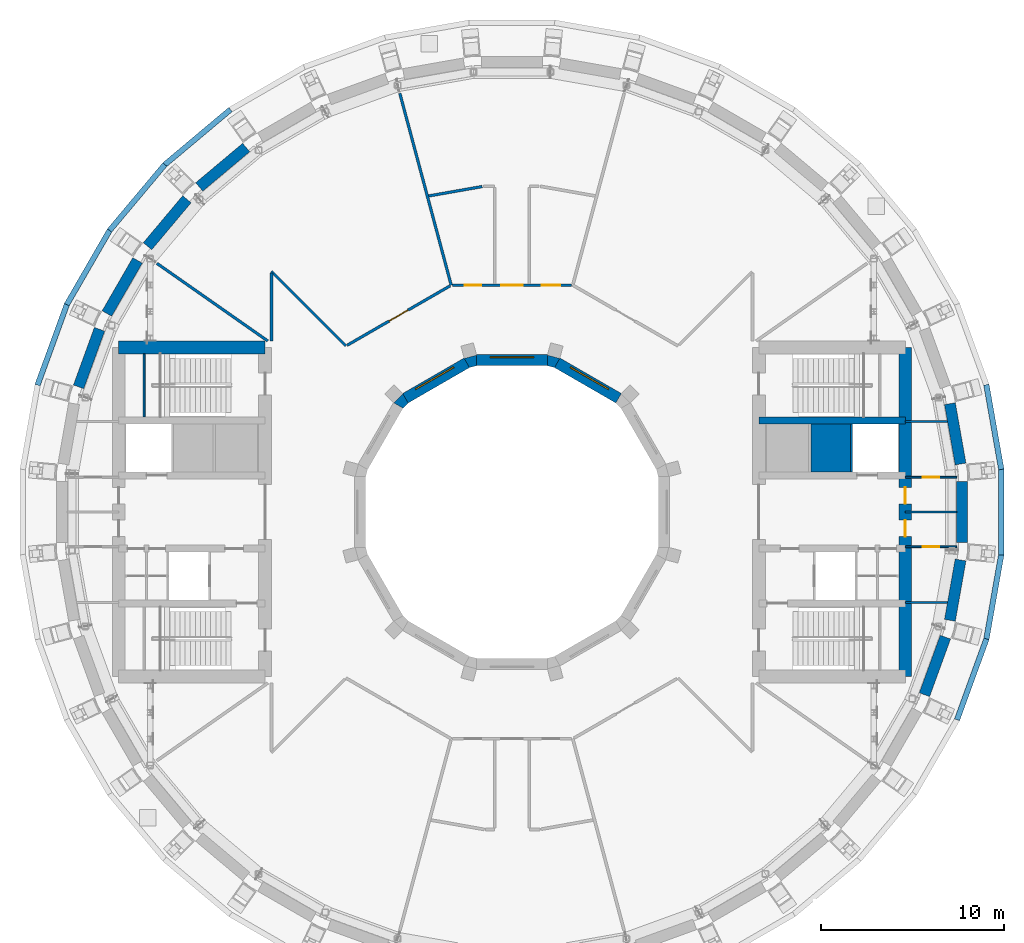
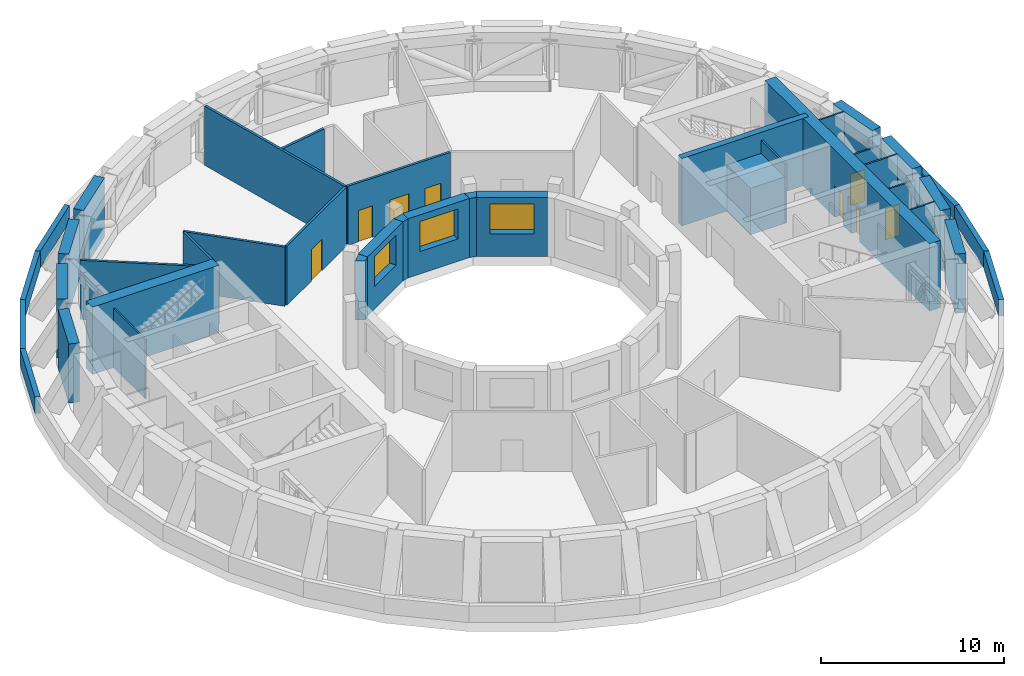
# One storey, part 13 of 20: 40 walls, 8 doors, 3 windows, 11 openings.
"""IFC4 building model written with IfcOpenShell, lengths in metres."""

from ifc_helpers import new_model, si_unit, direction, frame, frame_2d, origin, place, context, subcontext, project, spatial, polyline, rectangle, outline, extrude, material, layer, layer_set, type_object, element, fill, save


model = new_model("IFC4")

# Units and contexts
model_context = context("Model", 3, precision=1e-05, world=origin(), true_north=direction((0.0, 1.0)))
body_context = subcontext(model_context, "Body", "Model", "MODEL_VIEW")
ifc_project = project(units=[si_unit("LENGTHUNIT", "METRE"), si_unit("AREAUNIT", "SQUARE_METRE"), si_unit("VOLUMEUNIT", "CUBIC_METRE"), si_unit("PLANEANGLEUNIT", "RADIAN"), si_unit("MASSUNIT", "GRAM", prefix="KILO")], contexts=[model_context])

# Site, building, storey
site_placement = place(None, origin())
site = spatial("IfcSite", under=ifc_project, at=site_placement, CompositionType="ELEMENT")
building_placement = place(site_placement, origin())
building = spatial("IfcBuilding", under=site, at=building_placement, Name="Saqina Gate Tower", CompositionType="ELEMENT")
storey_placement = place(building_placement, frame((0.0, 0.0, 151.300048828125)))
storey = spatial("IfcBuildingStorey", under=building, at=storey_placement, Name="L43", CompositionType="ELEMENT", Elevation=151.300048828125)

# Wall
ifc_material_1 = material(Name="Gypsum board on steel studs", Category="steel")
ifc_layer_1 = layer(ifc_material_1, 0.10009765625)
ifc_layer_set_1 = layer_set([ifc_layer_1], Name="CORE PARTITION")
wall_type_1 = type_object("IfcWallType", Name="CORE PARTITION", PredefinedType="PARTITIONING", material=ifc_layer_set_1)
wall_1_placement = place(storey_placement, frame((21.5, 4.949951171875, 0.0), z_axis=(0.0, 0.0, 1.0), x_axis=(1.0, 0.0, 0.0)))
element("IfcWall", 1, at=wall_1_placement, inside=storey, type_object=wall_type_1, Name="L43-CP-E01", PredefinedType="PARTITIONING", context=body_context, shape_type="SweptSolid", body=[
    extrude(rectangle(XDim=2.306884765625, YDim=0.10009765625, at=frame_2d((1.1533203125, 0.0))), origin(), (0.0, 0.0, 1.0), 3.949951171875),
])

# Wall, opening, door
wall_2_placement = place(storey_placement, frame((21.5, 1.89990234375, 0.0), z_axis=(0.0, 0.0, 1.0), x_axis=(1.0, 0.0, 0.0)))
wall_2 = element("IfcWall", 2, at=wall_2_placement, inside=storey, type_object=wall_type_1, Name="L43-CP-E02", PredefinedType="PARTITIONING", context=body_context, shape_type="SweptSolid", body=[
    extrude(rectangle(XDim=2.804931640625, YDim=0.10009765625, at=frame_2d((1.40234375, 0.0))), origin(), (0.0, 0.0, 1.0), 3.35595703125),
])
opening_1_placement = place(wall_2_placement, frame((0.952392578125, 0.0, 0.0)))
opening_1 = element("IfcOpeningElement", 3, at=opening_1_placement, cuts=wall_2, Name="Opening L43-D93", PredefinedType="OPENING", context=body_context, shape_type="SweptSolid", body=[
    extrude(rectangle(XDim=0.89990234375, YDim=2.10009765625, at=frame_2d((0.449951171875, 1.050048828125))), frame((0.0, 0.06201171875, 0.0), z_axis=(0.0, -1.0, 0.0), x_axis=(1.0, 0.0, 0.0)), (0.0, 0.0, 1.0), 0.1240234375),
])
ifc_material_2 = material(Name="Steel-framed fire door leaf, EI 60", Category="steel")
door_type_1 = type_object("IfcDoorType", Name="SERVICE ROOM DOOR 900", OperationType="SINGLE_SWING_LEFT", PredefinedType="DOOR", material=ifc_material_2)
door_1_placement = place(opening_1_placement, origin())
door_1 = element("IfcDoor", 4, at=door_1_placement, inside=storey, type_object=door_type_1, Name="L43-CD-E04", OperationType="SINGLE_SWING_LEFT", OverallHeight=2.10009765625, OverallWidth=0.89990234375, PredefinedType="DOOR", context=body_context, shape_type="SweptSolid", body=[
    extrude(rectangle(XDim=0.89990234375, YDim=2.10009765625, at=frame_2d((0.449951171875, 1.050048828125))), frame((0.0, 0.02490234375, 0.0), z_axis=(0.0, -1.0, 0.0), x_axis=(1.0, 0.0, 0.0)), (0.0, 0.0, 1.0), 0.050048828125),
])
fill(opening_1, door_1)

# Wall
wall_3_placement = place(storey_placement, frame((21.5, -4.949951171875, 0.0), z_axis=(0.0, 0.0, 1.0), x_axis=(1.0, 0.0, 0.0)))
element("IfcWall", 5, at=wall_3_placement, inside=storey, type_object=wall_type_1, Name="L43-CP-E03", PredefinedType="PARTITIONING", context=body_context, shape_type="SweptSolid", body=[
    extrude(rectangle(XDim=2.306884765625, YDim=0.10009765625, at=frame_2d((1.1533203125, 0.0))), origin(), (0.0, 0.0, 1.0), 3.949951171875),
])

# Wall, opening, door
wall_4_placement = place(storey_placement, frame((21.5, -1.89990234375, 0.0), z_axis=(0.0, 0.0, 1.0), x_axis=(1.0, 0.0, 0.0)))
wall_4 = element("IfcWall", 6, at=wall_4_placement, inside=storey, type_object=wall_type_1, Name="L43-CP-E04", PredefinedType="PARTITIONING", context=body_context, shape_type="SweptSolid", body=[
    extrude(rectangle(XDim=2.804931640625, YDim=0.10009765625, at=frame_2d((1.40234375, 0.0))), origin(), (0.0, 0.0, 1.0), 3.35595703125),
])
opening_2_placement = place(wall_4_placement, frame((0.952392578125, 0.0, 0.0)))
opening_2 = element("IfcOpeningElement", 7, at=opening_2_placement, cuts=wall_4, Name="Opening L43-D95", PredefinedType="OPENING", context=body_context, shape_type="SweptSolid", body=[
    extrude(rectangle(XDim=0.89990234375, YDim=2.10009765625, at=frame_2d((0.449951171875, 1.050048828125))), frame((0.0, 0.06201171875, 0.0), z_axis=(0.0, -1.0, 0.0), x_axis=(1.0, 0.0, 0.0)), (0.0, 0.0, 1.0), 0.1240234375),
])
door_2_placement = place(opening_2_placement, frame((0.89990234375, 0.0, 0.0), z_axis=(0.0, 0.0, 1.0), x_axis=(-1.0, 0.0, 0.0)))
door_2 = element("IfcDoor", 8, at=door_2_placement, inside=storey, type_object=door_type_1, Name="L43-CD-E06", OperationType="SINGLE_SWING_RIGHT", OverallHeight=2.10009765625, OverallWidth=0.89990234375, PredefinedType="DOOR", context=body_context, shape_type="SweptSolid", body=[
    extrude(rectangle(XDim=0.89990234375, YDim=2.10009765625, at=frame_2d((0.449951171875, 1.050048828125))), frame((0.0, 0.02490234375, 0.0), z_axis=(0.0, -1.0, 0.0), x_axis=(1.0, 0.0, 0.0)), (0.0, 0.0, 1.0), 0.050048828125),
])
fill(opening_2, door_2)

# Walls
wall_5_placement = place(storey_placement, frame((21.5, 0.0, 0.0), z_axis=(0.0, 0.0, 1.0), x_axis=(1.0, 0.0, 0.0)))
element("IfcWall", 9, at=wall_5_placement, inside=storey, type_object=wall_type_1, Name="L43-CP-E05", PredefinedType="PARTITIONING", context=body_context, shape_type="SweptSolid", body=[
    extrude(rectangle(XDim=2.804931640625, YDim=0.10009765625, at=frame_2d((1.40234375, 0.0))), origin(), (0.0, 0.0, 1.0), 3.949951171875),
])
ifc_material_3 = material(Name="Brick masonry (buff)", Category="masonry")
ifc_layer_2 = layer(ifc_material_3, 0.60009765625)
ifc_layer_set_2 = layer_set([ifc_layer_2], Name="FW-BRICK-BUFF")
wall_type_2 = type_object("IfcWallType", Name="FW-BRICK-BUFF", PredefinedType="SOLIDWALL", material=ifc_layer_set_2)
for number, where, z_axis, x_axis, name in (
    (10, (-14.53271484375, 19.9248046875, 0.0), (0.0, 0.0, 1.0), (-0.766078076858, -0.642747524428, 0.0), "Facade wall L43 facet 13"),
    (11, (-17.77197265625, 17.0986328125, 0.0), (0.0, 0.0, 1.0), (-0.642747524428, -0.766078076858, 0.0), "Facade wall L43 facet 14"),
    (12, (-20.47119140625, 13.752685546875, 0.0), (0.0, 0.0, 1.0), (-0.499972744263, -0.866041139319, 0.0), "Facade wall L43 facet 15"),
):
    element("IfcWall", number, at=place(storey_placement, frame(where, z_axis=z_axis, x_axis=x_axis)), inside=storey, type_object=wall_type_2, Name=name, PredefinedType="SOLIDWALL", context=body_context, shape_type="SweptSolid", body=[
        extrude(rectangle(XDim=3.349365234375, YDim=0.60009765625, at=frame_2d((1.6748046875, 0.0))), origin(), (0.0, 0.0, 1.0), 3.949951171875),
    ])
ifc_material_4 = material(Name="Glazed ceramic tile", Category="ceramic")
ifc_layer_3 = layer(ifc_material_4, 0.60009765625)
ifc_layer_set_3 = layer_set([ifc_layer_3], Name="FW-TILE")
wall_type_3 = type_object("IfcWallType", Name="FW-TILE", PredefinedType="SOLIDWALL", material=ifc_layer_set_3)
for number, where, z_axis, x_axis, name in (
    (13, (-22.54833984375, 9.989013671875, 0.0), (0.0, 0.0, 1.0), (-0.342000559967, -0.939699748315, 0.0), "Facade wall L43 facet 16"),
    (14, (22.54833984375, -9.989013671875, 0.0), (0.0, 0.0, 1.0), (0.342000559967, 0.939699748315, 0.0), "Facade wall L43 facet 34"),
):
    element("IfcWall", number, at=place(storey_placement, frame(where, z_axis=z_axis, x_axis=x_axis)), inside=storey, type_object=wall_type_3, Name=name, PredefinedType="SOLIDWALL", context=body_context, shape_type="SweptSolid", body=[
        extrude(rectangle(XDim=3.349365234375, YDim=0.60009765625, at=frame_2d((1.6748046875, 0.0))), origin(), (0.0, 0.0, 1.0), 3.949951171875),
    ])
wall_6_placement = place(storey_placement, frame((24.60498046875, -1.674560546875, 0.0), z_axis=(0.0, 0.0, 1.0), x_axis=(0.0, 1.0, 0.0)))
element("IfcWall", 15, at=wall_6_placement, inside=storey, type_object=wall_type_3, Name="Facade wall L43 facet 36", PredefinedType="SOLIDWALL", context=body_context, shape_type="SweptSolid", body=[
    extrude(rectangle(XDim=3.34912109375, YDim=0.60009765625, at=frame_2d((1.674560546875, 0.0))), origin(), (0.0, 0.0, 1.0), 3.949951171875),
])
ifc_material_5 = material(Name="Glazed ceramic tile (dark blue)", Category="ceramic")
ifc_layer_4 = layer(ifc_material_5, 0.60009765625)
ifc_layer_set_4 = layer_set([ifc_layer_4], Name="FW-TILE-CB")
wall_type_4 = type_object("IfcWallType", Name="FW-TILE-CB", PredefinedType="SOLIDWALL", material=ifc_layer_set_4)
wall_7_placement = place(storey_placement, frame((23.940185546875, -5.921875, 0.0), z_axis=(0.0, 0.0, 1.0), x_axis=(0.173693855351, 0.984799697712, 0.0)))
element("IfcWall", 16, at=wall_7_placement, inside=storey, type_object=wall_type_4, Name="Facade wall L43 facet 35", PredefinedType="SOLIDWALL", context=body_context, shape_type="SweptSolid", body=[
    extrude(rectangle(XDim=3.349609375, YDim=0.60009765625, at=frame_2d((1.6748046875, 0.0))), origin(), (0.0, 0.0, 1.0), 3.949951171875),
])
ifc_material_6 = material(Name="Glazed ceramic tile (white)", Category="ceramic")
ifc_layer_5 = layer(ifc_material_6, 0.60009765625)
ifc_layer_set_5 = layer_set([ifc_layer_5], Name="FW-TILE-WH")
wall_type_5 = type_object("IfcWallType", Name="FW-TILE-WH", PredefinedType="SOLIDWALL", material=ifc_layer_set_5)
wall_8_placement = place(storey_placement, frame((24.52197265625, 2.623291015625, 0.0), z_axis=(0.0, 0.0, 1.0), x_axis=(-0.173693855351, 0.984799697712, 0.0)))
element("IfcWall", 17, at=wall_8_placement, inside=storey, type_object=wall_type_5, Name="Facade wall L43 facet 1", PredefinedType="SOLIDWALL", context=body_context, shape_type="SweptSolid", body=[
    extrude(rectangle(XDim=3.349609375, YDim=0.60009765625, at=frame_2d((1.6748046875, 0.0))), origin(), (0.0, 0.0, 1.0), 3.949951171875),
])

# Wall, opening, window
ifc_material_7 = material(Name="Glazed ceramic tile", Category="ceramic")
ifc_layer_6 = layer(ifc_material_7, 0.60009765625)
ifc_layer_set_6 = layer_set([ifc_layer_6], Name="IW-TILE")
wall_type_6 = type_object("IfcWallType", Name="IW-TILE", PredefinedType="SOLIDWALL", material=ifc_layer_set_6)
wall_9_placement = place(storey_placement, frame((5.82568359375, 6.220458984375, 0.0), z_axis=(0.0, 0.0, 1.0), x_axis=(-0.866005929495, 0.500033728941, 0.0)))
wall_9 = element("IfcWall", 18, at=wall_9_placement, inside=storey, type_object=wall_type_6, Name="Well wall L43 facet 2", PredefinedType="SOLIDWALL", context=body_context, shape_type="SweptSolid", body=[
    extrude(rectangle(XDim=3.869873046875, YDim=0.60009765625, at=frame_2d((1.93505859375, 0.0))), origin(), (0.0, 0.0, 1.0), 3.949951171875),
])
opening_3_placement = place(wall_9_placement, frame((0.73486328125, 0.0, 1.5)))
opening_3 = element("IfcOpeningElement", 19, at=opening_3_placement, cuts=wall_9, Name="Opening L43-W02", PredefinedType="OPENING", context=body_context, shape_type="SweptSolid", body=[
    extrude(rectangle(XDim=2.39990234375, YDim=2.0, at=frame_2d((1.199951171875, 1.0))), frame((0.0, 0.31201171875, 0.0), z_axis=(0.0, -1.0, 0.0), x_axis=(1.0, 0.0, 0.0)), (0.0, 0.0, 1.0), 0.6240234375),
])
ifc_material_8 = material(Name="Aluminium glazing", Category="aluminium")
window_type = type_object("IfcWindowType", Name="WN-P", PartitioningType="SINGLE_PANEL", PredefinedType="WINDOW", material=ifc_material_8)
window_1_placement = place(opening_3_placement, origin())
window_1 = element("IfcWindow", 20, at=window_1_placement, inside=storey, type_object=window_type, Name="Well window L43 facet 2", OverallHeight=2.0, OverallWidth=2.39990234375, PartitioningType="SINGLE_PANEL", PredefinedType="WINDOW", context=body_context, shape_type="SweptSolid", body=[
    extrude(rectangle(XDim=2.39990234375, YDim=2.0, at=frame_2d((1.199951171875, 1.0))), frame((0.0, -0.119873046875, 0.0), z_axis=(0.0, -1.0, 0.0), x_axis=(1.0, 0.0, 0.0)), (0.0, 0.0, 1.0), 0.06005859375),
])
fill(opening_3, window_1)

wall_10_placement = place(storey_placement, frame((1.934814453125, 8.300048828125, 0.0), z_axis=(0.0, 0.0, 1.0), x_axis=(-1.0, 0.0, 0.0)))
wall_10 = element("IfcWall", 21, at=wall_10_placement, inside=storey, type_object=wall_type_6, Name="Well wall L43 facet 3", PredefinedType="SOLIDWALL", context=body_context, shape_type="SweptSolid", body=[
    extrude(rectangle(XDim=3.86962890625, YDim=0.60009765625, at=frame_2d((1.934814453125, 0.0))), origin(), (0.0, 0.0, 1.0), 3.949951171875),
])
opening_4_placement = place(wall_10_placement, frame((0.73486328125, 0.0, 1.5)))
opening_4 = element("IfcOpeningElement", 22, at=opening_4_placement, cuts=wall_10, Name="Opening L43-W03", PredefinedType="OPENING", context=body_context, shape_type="SweptSolid", body=[
    extrude(rectangle(XDim=2.39990234375, YDim=2.0, at=frame_2d((1.199951171875, 1.0))), frame((0.0, 0.31201171875, 0.0), z_axis=(0.0, -1.0, 0.0), x_axis=(1.0, 0.0, 0.0)), (0.0, 0.0, 1.0), 0.6240234375),
])
window_2_placement = place(opening_4_placement, origin())
window_2 = element("IfcWindow", 23, at=window_2_placement, inside=storey, type_object=window_type, Name="Well window L43 facet 3", OverallHeight=2.0, OverallWidth=2.39990234375, PartitioningType="SINGLE_PANEL", PredefinedType="WINDOW", context=body_context, shape_type="SweptSolid", body=[
    extrude(rectangle(XDim=2.39990234375, YDim=2.0, at=frame_2d((1.199951171875, 1.0))), frame((0.0, -0.119873046875, 0.0), z_axis=(0.0, -1.0, 0.0), x_axis=(1.0, 0.0, 0.0)), (0.0, 0.0, 1.0), 0.06005859375),
])
fill(opening_4, window_2)

wall_11_placement = place(storey_placement, frame((-2.474365234375, 8.155517578125, 0.0), z_axis=(0.0, 0.0, 1.0), x_axis=(-0.866005929495, -0.500033728941, 0.0)))
wall_11 = element("IfcWall", 24, at=wall_11_placement, inside=storey, type_object=wall_type_6, Name="Well wall L43 facet 4", PredefinedType="SOLIDWALL", context=body_context, shape_type="SweptSolid", body=[
    extrude(rectangle(XDim=3.869873046875, YDim=0.60009765625, at=frame_2d((1.93505859375, 0.0))), origin(), (0.0, 0.0, 1.0), 3.949951171875),
])
opening_5_placement = place(wall_11_placement, frame((0.73486328125, 0.0, 1.5)))
opening_5 = element("IfcOpeningElement", 25, at=opening_5_placement, cuts=wall_11, Name="Opening L43-W04", PredefinedType="OPENING", context=body_context, shape_type="SweptSolid", body=[
    extrude(rectangle(XDim=2.39990234375, YDim=2.0, at=frame_2d((1.199951171875, 1.0))), frame((0.0, 0.31201171875, 0.0), z_axis=(0.0, -1.0, 0.0), x_axis=(1.0, 0.0, 0.0)), (0.0, 0.0, 1.0), 0.6240234375),
])
window_3_placement = place(opening_5_placement, origin())
window_3 = element("IfcWindow", 26, at=window_3_placement, inside=storey, type_object=window_type, Name="Well window L43 facet 4", OverallHeight=2.0, OverallWidth=2.39990234375, PartitioningType="SINGLE_PANEL", PredefinedType="WINDOW", context=body_context, shape_type="SweptSolid", body=[
    extrude(rectangle(XDim=2.39990234375, YDim=2.0, at=frame_2d((1.199951171875, 1.0))), frame((0.0, -0.119873046875, 0.0), z_axis=(0.0, -1.0, 0.0), x_axis=(1.0, 0.0, 0.0)), (0.0, 0.0, 1.0), 0.06005859375),
])
fill(opening_5, window_3)

# Walls
ifc_material_9 = material(Name="Concrete C40/50", Category="concrete")
ifc_layer_7 = layer(ifc_material_9, 2.60009765625)
ifc_layer_set_7 = layer_set([ifc_layer_7], Name="Concrete C40/50")
wall_type_7 = type_object("IfcWallType", Name="LIFT PIT PEDESTAL 2600", PredefinedType="SOLIDWALL", material=ifc_layer_set_7)
wall_12_placement = place(storey_placement, frame((16.340087890625, 3.5, 0.0), z_axis=(0.0, 0.0, 1.0), x_axis=(1.0, 0.0, 0.0)))
element("IfcWall", 27, at=wall_12_placement, inside=storey, type_object=wall_type_7, Name="LIFT PIT BASE HR2", PredefinedType="SOLIDWALL", context=body_context, shape_type="SweptSolid", body=[
    extrude(rectangle(XDim=2.159912109375, YDim=2.60009765625, at=frame_2d((1.080078125, 0.0))), origin(), (0.0, 0.0, 1.0), 3.099853515625),
])
ifc_material_10 = material(Name="Brick masonry (buff)", Category="masonry")
ifc_layer_8 = layer(ifc_material_10, 0.300048828125)
ifc_layer_set_8 = layer_set([ifc_layer_8], Name="PA-ROOF")
wall_type_8 = type_object("IfcWallType", Name="PA-ROOF", PredefinedType="PARAPET", material=ifc_layer_set_8)
for number, where, z_axis, x_axis, name in (
    (28, (26.74951171875, 2.3271484375, 0.0), (0.0, 0.0, 1.0), (-0.173619615708, 0.984812788829, 0.0), "Parapet L43 edge 1"),
    (29, (-15.39013671875, 22.002197265625, 0.0), (0.0, 0.0, 1.0), (-0.766065473319, -0.642762546038, 0.0), "Parapet L43 edge 13"),
    (30, (-18.97705078125, 18.99560546875, 0.0), (0.0, 0.0, 1.0), (-0.642762546038, -0.766065473319, 0.0), "Parapet L43 edge 14"),
):
    element("IfcWall", number, at=place(storey_placement, frame(where, z_axis=z_axis, x_axis=x_axis)), inside=storey, type_object=wall_type_8, Name=name, PredefinedType="PARAPET", context=body_context, shape_type="SweptSolid", body=[
        extrude(rectangle(XDim=4.70654296875, YDim=0.300048828125, at=frame_2d((2.353271484375, 0.0))), origin(), (0.0, 0.0, 1.0), 1.099853515625),
    ])
for number, where, z_axis, x_axis, name in (
    (31, (-21.9873046875, 15.41162109375, 0.0), (0.0, 0.0, 1.0), (-0.499966433809, -0.866044782366, 0.0), "Parapet L43 edge 15"),
    (32, (-24.329345703125, 11.359375, 0.0), (0.0, 0.0, 1.0), (-0.342005449033, -0.939697968941, 0.0), "Parapet L43 edge 16"),
    (33, (24.329345703125, -11.359375, 0.0), (0.0, 0.0, 1.0), (0.342005449033, 0.939697968941, 0.0), "Parapet L43 edge 34"),
):
    element("IfcWall", number, at=place(storey_placement, frame(where, z_axis=z_axis, x_axis=x_axis)), inside=storey, type_object=wall_type_8, Name=name, PredefinedType="PARAPET", context=body_context, shape_type="SweptSolid", body=[
        extrude(rectangle(XDim=4.706298828125, YDim=0.300048828125, at=frame_2d((2.35302734375, 0.0))), origin(), (0.0, 0.0, 1.0), 1.099853515625),
    ])
for number, where, z_axis, x_axis, name in (
    (34, (25.932373046875, -6.962158203125, 0.0), (0.0, 0.0, 1.0), (0.173619615708, 0.984812788829, 0.0), "Parapet L43 edge 35"),
    (35, (26.747314453125, -2.353271484375, 0.0), (0.0, 0.0, 1.0), (0.0, 1.0, 0.0), "Parapet L43 edge 36"),
):
    element("IfcWall", number, at=place(storey_placement, frame(where, z_axis=z_axis, x_axis=x_axis)), inside=storey, type_object=wall_type_8, Name=name, PredefinedType="PARAPET", context=body_context, shape_type="SweptSolid", body=[
        extrude(rectangle(XDim=4.70654296875, YDim=0.300048828125, at=frame_2d((2.353271484375, 0.0))), origin(), (0.0, 0.0, 1.0), 1.099853515625),
    ])
ifc_material_11 = material(Name="Autoclaved aerated concrete block", Category="concrete")
ifc_layer_9 = layer(ifc_material_11, 0.1201171875)
ifc_layer_set_9 = layer_set([ifc_layer_9], Name="SHAFT PARTITION")
wall_type_9 = type_object("IfcWallType", Name="SHAFT PARTITION", PredefinedType="PARTITIONING", material=ifc_layer_set_9)
wall_13_placement = place(storey_placement, frame((18.56005859375, 2.199951171875, 0.0), z_axis=(0.0, 0.0, 1.0), x_axis=(0.0, 1.0, 0.0)))
element("IfcWall", 36, at=wall_13_placement, inside=storey, type_object=wall_type_9, Name="L43-CP-E07", PredefinedType="PARTITIONING", context=body_context, shape_type="SweptSolid", body=[
    extrude(rectangle(XDim=2.60009765625, YDim=0.1201171875, at=frame_2d((1.300048828125, 0.0))), origin(), (0.0, 0.0, 1.0), 3.949951171875),
])
ifc_material_12 = material(Name="Masonry block and plaster, 150 mm, fire rated", Category="masonry")
ifc_layer_10 = layer(ifc_material_12, 0.14990234375)
ifc_layer_set_10 = layer_set([ifc_layer_10], Name="SPECIAL PARTITION EI 60 150")
wall_type_10 = type_object("IfcWallType", Name="SPECIAL PARTITION EI 60 150", PredefinedType="PARTITIONING", material=ifc_layer_set_10)
wall_14_placement = place(storey_placement, frame((-6.1337890625, 22.89208984375, 0.0), z_axis=(0.0, 0.0, 1.0), x_axis=(0.258769040429, -0.965939223614, 0.0)))
element("IfcWall", 37, at=wall_14_placement, inside=storey, type_object=wall_type_10, Name="PARTITION 001", PredefinedType="PARTITIONING", context=body_context, shape_type="SweptSolid", body=[
    extrude(rectangle(XDim=10.862060546875, YDim=0.14990234375, at=frame_2d((5.43115234375, 0.0))), origin(), (0.0, 0.0, 1.0), 3.949951171875),
])
wall_15_placement = place(storey_placement, frame((-13.14990234375, 13.14990234375, 0.0), z_axis=(0.0, 0.0, 1.0), x_axis=(0.707106781187, -0.707106781187, 0.0)))
element("IfcWall", 38, at=wall_15_placement, inside=storey, type_object=wall_type_10, Name="PARTITION 003", PredefinedType="PARTITIONING", context=body_context, shape_type="SweptSolid", body=[
    extrude(rectangle(XDim=5.760009765625, YDim=0.14990234375, at=frame_2d((2.8798828125, 0.0))), origin(), (0.0, 0.0, 1.0), 3.949951171875),
])
wall_16_placement = place(storey_placement, frame((-19.4140625, 13.593994140625, 0.0), z_axis=(0.0, 0.0, 1.0), x_axis=(0.819157506644, -0.573568635221, 0.0)))
element("IfcWall", 39, at=wall_16_placement, inside=storey, type_object=wall_type_10, Name="PARTITION 005", PredefinedType="PARTITIONING", context=body_context, shape_type="SweptSolid", body=[
    extrude(rectangle(XDim=7.399169921875, YDim=0.14990234375, at=frame_2d((3.69970703125, 0.0))), origin(), (0.0, 0.0, 1.0), 3.949951171875),
])

# Wall, openings, doors
wall_17_placement = place(storey_placement, frame((-3.248046875, 12.39990234375, 0.0), z_axis=(0.0, 0.0, 1.0), x_axis=(1.0, 0.0, 0.0)))
wall_17 = element("IfcWall", 40, at=wall_17_placement, inside=storey, type_object=wall_type_10, Name="PARTITION 014", PredefinedType="PARTITIONING", context=body_context, shape_type="SweptSolid", body=[
    extrude(rectangle(XDim=6.49609375, YDim=0.14990234375, at=frame_2d((3.248046875, 0.0))), origin(), (0.0, 0.0, 1.0), 3.949951171875),
])
opening_6_placement = place(wall_17_placement, frame((4.884521484375, 0.0, 0.0)))
opening_6 = element("IfcOpeningElement", 41, at=opening_6_placement, cuts=wall_17, Name="Opening L43-D02", PredefinedType="OPENING", context=body_context, shape_type="SweptSolid", body=[
    extrude(rectangle(XDim=1.0, YDim=2.10009765625, at=frame_2d((0.5, 1.050048828125))), frame((0.0, 0.0869140625, 0.0), z_axis=(0.0, -1.0, 0.0), x_axis=(1.0, 0.0, 0.0)), (0.0, 0.0, 1.0), 0.173828125),
])
opening_7_placement = place(wall_17_placement, frame((2.64794921875, 0.0, 0.0)))
opening_7 = element("IfcOpeningElement", 42, at=opening_7_placement, cuts=wall_17, Name="Opening L43-D03", PredefinedType="OPENING", context=body_context, shape_type="SweptSolid", body=[
    extrude(rectangle(XDim=1.199951171875, YDim=2.10009765625, at=frame_2d((0.60009765625, 1.050048828125))), frame((0.0, 0.0869140625, 0.0), z_axis=(0.0, -1.0, 0.0), x_axis=(1.0, 0.0, 0.0)), (0.0, 0.0, 1.0), 0.173828125),
])
opening_8_placement = place(wall_17_placement, frame((0.66162109375, 0.0, 0.0)))
opening_8 = element("IfcOpeningElement", 43, at=opening_8_placement, cuts=wall_17, Name="Opening L43-D04", PredefinedType="OPENING", context=body_context, shape_type="SweptSolid", body=[
    extrude(rectangle(XDim=0.89990234375, YDim=2.10009765625, at=frame_2d((0.449951171875, 1.050048828125))), frame((0.0, 0.0869140625, 0.0), z_axis=(0.0, -1.0, 0.0), x_axis=(1.0, 0.0, 0.0)), (0.0, 0.0, 1.0), 0.173828125),
])
ifc_material_13 = material(Name="Steel-framed fire door leaf, EI 60", Category="steel")
door_type_2 = type_object("IfcDoorType", Name="SPECIAL DOOR 1000 FIRE EI 60", OperationType="SINGLE_SWING_LEFT", PredefinedType="DOOR", material=ifc_material_13)
door_3_placement = place(opening_6_placement, origin())
door_3 = element("IfcDoor", 44, at=door_3_placement, inside=storey, type_object=door_type_2, Name="DOOR L43-D02", OperationType="SINGLE_SWING_RIGHT", OverallHeight=2.10009765625, OverallWidth=1.0, PredefinedType="DOOR", context=body_context, shape_type="SweptSolid", body=[
    extrude(rectangle(XDim=1.0, YDim=2.10009765625, at=frame_2d((0.5, 1.050048828125))), frame((0.0, 0.02490234375, 0.0), z_axis=(0.0, -1.0, 0.0), x_axis=(1.0, 0.0, 0.0)), (0.0, 0.0, 1.0), 0.050048828125),
])
fill(opening_6, door_3)
ifc_material_14 = material(Name="Steel-framed fire door leaf, EI 60", Category="steel")
door_type_3 = type_object("IfcDoorType", Name="SPECIAL DOOR 1200 FIRE EI 60", OperationType="SINGLE_SWING_LEFT", PredefinedType="DOOR", material=ifc_material_14)
door_4_placement = place(opening_7_placement, frame((1.199951171875, 0.0, 0.0), z_axis=(0.0, 0.0, 1.0), x_axis=(-1.0, 0.0, 0.0)))
door_4 = element("IfcDoor", 45, at=door_4_placement, inside=storey, type_object=door_type_3, Name="DOOR L43-D03", OperationType="SINGLE_SWING_RIGHT", OverallHeight=2.10009765625, OverallWidth=1.199951171875, PredefinedType="DOOR", context=body_context, shape_type="SweptSolid", body=[
    extrude(rectangle(XDim=1.199951171875, YDim=2.10009765625, at=frame_2d((0.60009765625, 1.050048828125))), frame((0.0, 0.02490234375, 0.0), z_axis=(0.0, -1.0, 0.0), x_axis=(1.0, 0.0, 0.0)), (0.0, 0.0, 1.0), 0.050048828125),
])
fill(opening_7, door_4)
ifc_material_15 = material(Name="Steel-framed fire door leaf, EI 60", Category="steel")
door_type_4 = type_object("IfcDoorType", Name="SPECIAL DOOR 900 FIRE EI 60", OperationType="SINGLE_SWING_LEFT", PredefinedType="DOOR", material=ifc_material_15)
door_5_placement = place(opening_8_placement, origin())
door_5 = element("IfcDoor", 46, at=door_5_placement, inside=storey, type_object=door_type_4, Name="DOOR L43-D04", OperationType="SINGLE_SWING_LEFT", OverallHeight=2.10009765625, OverallWidth=0.89990234375, PredefinedType="DOOR", context=body_context, shape_type="SweptSolid", body=[
    extrude(rectangle(XDim=0.89990234375, YDim=2.10009765625, at=frame_2d((0.449951171875, 1.050048828125))), frame((0.0, 0.02490234375, 0.0), z_axis=(0.0, -1.0, 0.0), x_axis=(1.0, 0.0, 0.0)), (0.0, 0.0, 1.0), 0.050048828125),
])
fill(opening_8, door_5)

# Wall
wall_18_placement = place(storey_placement, frame((-4.552001953125, 17.277099609375, 0.0), z_axis=(0.0, 0.0, 1.0), x_axis=(0.984808414999, 0.173644423312, 0.0)))
element("IfcWall", 47, at=wall_18_placement, inside=storey, type_object=wall_type_10, Name="PARTITION 018", PredefinedType="PARTITIONING", context=body_context, shape_type="SweptSolid", body=[
    extrude(rectangle(XDim=2.96533203125, YDim=0.14990234375, at=frame_2d((1.482666015625, 0.0))), origin(), (0.0, 0.0, 1.0), 3.949951171875),
])

# Wall, opening, door
wall_19_placement = place(storey_placement, frame((-9.01220703125, 9.114501953125, 0.0), z_axis=(0.0, 0.0, 1.0), x_axis=(0.865967095912, 0.5001009786, 0.0)))
wall_19 = element("IfcWall", 48, at=wall_19_placement, inside=storey, type_object=wall_type_10, Name="PARTITION 020", PredefinedType="PARTITIONING", context=body_context, shape_type="SweptSolid", body=[
    extrude(rectangle(XDim=6.494873046875, YDim=0.14990234375, at=frame_2d((3.24755859375, 0.0))), origin(), (0.0, 0.0, 1.0), 3.949951171875),
])
opening_9_placement = place(wall_19_placement, frame((2.647216796875, 0.0, 0.0)))
opening_9 = element("IfcOpeningElement", 49, at=opening_9_placement, cuts=wall_19, Name="Opening L43-D05", PredefinedType="OPENING", context=body_context, shape_type="SweptSolid", body=[
    extrude(rectangle(XDim=1.199951171875, YDim=2.10009765625, at=frame_2d((0.60009765625, 1.050048828125))), frame((0.0, 0.0869140625, 0.0), z_axis=(0.0, -1.0, 0.0), x_axis=(1.0, 0.0, 0.0)), (0.0, 0.0, 1.0), 0.173828125),
])
door_6_placement = place(opening_9_placement, frame((1.199951171875, 0.0, 0.0), z_axis=(0.0, 0.0, 1.0), x_axis=(-1.0, 0.0, 0.0)))
door_6 = element("IfcDoor", 50, at=door_6_placement, inside=storey, type_object=door_type_3, Name="DOOR L43-D05", OperationType="SINGLE_SWING_RIGHT", OverallHeight=2.10009765625, OverallWidth=1.199951171875, PredefinedType="DOOR", context=body_context, shape_type="SweptSolid", body=[
    extrude(rectangle(XDim=1.199951171875, YDim=2.10009765625, at=frame_2d((0.60009765625, 1.050048828125))), frame((0.0, 0.02490234375, 0.0), z_axis=(0.0, -1.0, 0.0), x_axis=(1.0, 0.0, 0.0)), (0.0, 0.0, 1.0), 0.050048828125),
])
fill(opening_9, door_6)

# Walls
wall_20_placement = place(storey_placement, frame((-13.14990234375, 9.35009765625, 0.0), z_axis=(0.0, 0.0, 1.0), x_axis=(0.0, 1.0, 0.0)))
element("IfcWall", 51, at=wall_20_placement, inside=storey, type_object=wall_type_10, Name="PARTITION 034", PredefinedType="PARTITIONING", context=body_context, shape_type="SweptSolid", body=[
    extrude(rectangle(XDim=3.724853515625, YDim=0.14990234375, at=frame_2d((1.8623046875, 0.0))), origin(), (0.0, 0.0, 1.0), 3.949951171875),
])
ifc_material_16 = material(Name="Autoclaved aerated concrete block", Category="concrete")
ifc_layer_11 = layer(ifc_material_16, 0.10009765625)
ifc_layer_set_11 = layer_set([ifc_layer_11], Name="STAIR ENCLOSURE WALL")
wall_type_11 = type_object("IfcWallType", Name="STAIR ENCLOSURE WALL", PredefinedType="PARTITIONING", material=ifc_layer_set_11)
wall_21_placement = place(storey_placement, frame((-20.110107421875, 5.199951171875, 0.0), z_axis=(0.0, 0.0, 1.0), x_axis=(0.0, 1.0, 0.0)))
element("IfcWall", 52, at=wall_21_placement, inside=storey, type_object=wall_type_11, Name="L43-CP-W13", PredefinedType="PARTITIONING", context=body_context, shape_type="SweptSolid", body=[
    extrude(rectangle(XDim=3.449951171875, YDim=0.10009765625, at=frame_2d((1.72509765625, 0.0))), origin(), (0.0, 0.0, 1.0), 3.949951171875),
])
ifc_material_17 = material(Name="Concrete C60/75", Category="concrete")
ifc_layer_12 = layer(ifc_material_17, 0.39990234375)
ifc_layer_set_12 = layer_set([ifc_layer_12], Name="Concrete C60/75")
wall_type_12 = type_object("IfcWallType", Name="STR-CORE WALL-C-I", PredefinedType="SHEAR", material=ifc_layer_set_12)
wall_22_placement = place(storey_placement, frame((13.5, 5.0, 0.0), z_axis=(0.0, 0.0, 1.0), x_axis=(1.0, 0.0, 0.0)))
element("IfcWall", 53, at=wall_22_placement, inside=storey, type_object=wall_type_12, Name="CORE WALL L43 E-X1", PredefinedType="SHEAR", context=body_context, shape_type="SweptSolid", body=[
    extrude(rectangle(XDim=8.0, YDim=0.39990234375, at=frame_2d((4.0, 0.0))), origin(), (0.0, 0.0, 1.0), 4.5),
])

# Wall, openings, doors
ifc_material_18 = material(Name="Concrete C60/75", Category="concrete")
ifc_layer_13 = layer(ifc_material_18, 0.699951171875)
ifc_layer_set_13 = layer_set([ifc_layer_13], Name="Concrete C60/75")
wall_type_13 = type_object("IfcWallType", Name="STR-CORE WALL-C-O", PredefinedType="SHEAR", material=ifc_layer_set_13)
wall_23_placement = place(storey_placement, frame((21.5, -9.0, 0.0), z_axis=(0.0, 0.0, 1.0), x_axis=(0.0, 1.0, 0.0)))
wall_23 = element("IfcWall", 54, at=wall_23_placement, inside=storey, type_object=wall_type_13, Name="CORE WALL L43 E-W2", PredefinedType="SHEAR", context=body_context, shape_type="SweptSolid", body=[
    extrude(rectangle(XDim=18.0, YDim=0.699951171875, at=frame_2d((9.0, 0.0))), origin(), (0.0, 0.0, 1.0), 4.5),
])
opening_10_placement = place(wall_23_placement, frame((9.449951171875, 0.0, 0.0)))
opening_10 = element("IfcOpeningElement", 55, at=opening_10_placement, cuts=wall_23, Name="Opening L43-D94", PredefinedType="OPENING", context=body_context, shape_type="SweptSolid", body=[
    extrude(rectangle(XDim=0.89990234375, YDim=2.10009765625, at=frame_2d((0.449951171875, 1.050048828125))), frame((0.0, 0.362060546875, 0.0), z_axis=(0.0, -1.0, 0.0), x_axis=(1.0, 0.0, 0.0)), (0.0, 0.0, 1.0), 0.723876953125),
])
opening_11_placement = place(wall_23_placement, frame((7.64990234375, 0.0, 0.0)))
opening_11 = element("IfcOpeningElement", 56, at=opening_11_placement, cuts=wall_23, Name="Opening L43-D96", PredefinedType="OPENING", context=body_context, shape_type="SweptSolid", body=[
    extrude(rectangle(XDim=0.89990234375, YDim=2.10009765625, at=frame_2d((0.449951171875, 1.050048828125))), frame((0.0, 0.362060546875, 0.0), z_axis=(0.0, -1.0, 0.0), x_axis=(1.0, 0.0, 0.0)), (0.0, 0.0, 1.0), 0.723876953125),
])
door_7_placement = place(opening_10_placement, frame((0.89990234375, 0.0, 0.0), z_axis=(0.0, 0.0, 1.0), x_axis=(-1.0, 0.0, 0.0)))
door_7 = element("IfcDoor", 57, at=door_7_placement, inside=storey, type_object=door_type_1, Name="L43-CD-E05", OperationType="SINGLE_SWING_LEFT", OverallHeight=2.10009765625, OverallWidth=0.89990234375, PredefinedType="DOOR", context=body_context, shape_type="SweptSolid", body=[
    extrude(rectangle(XDim=0.89990234375, YDim=2.10009765625, at=frame_2d((0.449951171875, 1.050048828125))), frame((0.0, 0.02490234375, 0.0), z_axis=(0.0, -1.0, 0.0), x_axis=(1.0, 0.0, 0.0)), (0.0, 0.0, 1.0), 0.050048828125),
])
fill(opening_10, door_7)
door_8_placement = place(opening_11_placement, frame((0.89990234375, 0.0, 0.0), z_axis=(0.0, 0.0, 1.0), x_axis=(-1.0, 0.0, 0.0)))
door_8 = element("IfcDoor", 58, at=door_8_placement, inside=storey, type_object=door_type_1, Name="L43-CD-E07", OperationType="SINGLE_SWING_RIGHT", OverallHeight=2.10009765625, OverallWidth=0.89990234375, PredefinedType="DOOR", context=body_context, shape_type="SweptSolid", body=[
    extrude(rectangle(XDim=0.89990234375, YDim=2.10009765625, at=frame_2d((0.449951171875, 1.050048828125))), frame((0.0, 0.02490234375, 0.0), z_axis=(0.0, -1.0, 0.0), x_axis=(1.0, 0.0, 0.0)), (0.0, 0.0, 1.0), 0.050048828125),
])
fill(opening_11, door_8)

# Walls
wall_24_placement = place(storey_placement, frame((-13.5, 9.0, 0.0), z_axis=(0.0, 0.0, 1.0), x_axis=(-1.0, 0.0, 0.0)))
element("IfcWall", 59, at=wall_24_placement, inside=storey, type_object=wall_type_13, Name="CORE WALL L43 W-NE", PredefinedType="SHEAR", context=body_context, shape_type="SweptSolid", body=[
    extrude(rectangle(XDim=8.0, YDim=0.699951171875, at=frame_2d((4.0, 0.0))), origin(), (0.0, 0.0, 1.0), 4.5),
])
ifc_material_19 = material(Name="Glazed ceramic tile", Category="ceramic")
wall_type_14 = type_object("IfcWallType", Name="TILE PIER COPING", PredefinedType="SOLIDWALL", material=ifc_material_19)
wall_25_placement = place(storey_placement, origin())
element("IfcWall", 60, at=wall_25_placement, inside=storey, type_object=wall_type_14, Name="Well pier cap L43 column 3", PredefinedType="SOLIDWALL", context=body_context, shape_type="SweptSolid", body=[
    extrude(outline(polyline([(1.934814453125, 8.573486328125), (1.934814453125, 8.0), (2.32421875, 7.895751953125), (2.611083984375, 8.392333984375), (1.934814453125, 8.573486328125)])), origin(), (0.0, 0.0, 1.0), 3.949951171875),
])
wall_26_placement = place(storey_placement, origin())
element("IfcWall", 61, at=wall_26_placement, inside=storey, type_object=wall_type_14, Name="Well pier cap L43 column 4", PredefinedType="SOLIDWALL", context=body_context, shape_type="SweptSolid", body=[
    extrude(outline(polyline([(-1.934814453125, 8.0), (-1.934814453125, 8.573486328125), (-2.611083984375, 8.392333984375), (-2.32421875, 7.895751953125), (-1.934814453125, 8.0)])), origin(), (0.0, 0.0, 1.0), 3.949951171875),
])
wall_27_placement = place(storey_placement, origin())
element("IfcWall", 62, at=wall_27_placement, inside=storey, type_object=wall_type_14, Name="Well pier cap L43 column 5", PredefinedType="SOLIDWALL", context=body_context, shape_type="SweptSolid", body=[
    extrude(outline(polyline([(-6.45751953125, 5.96240234375), (-5.960693359375, 5.67578125), (-5.67578125, 5.960693359375), (-5.96240234375, 6.45751953125), (-6.45751953125, 5.96240234375)])), origin(), (0.0, 0.0, 1.0), 3.949951171875),
])

save(model, "model.ifc")
